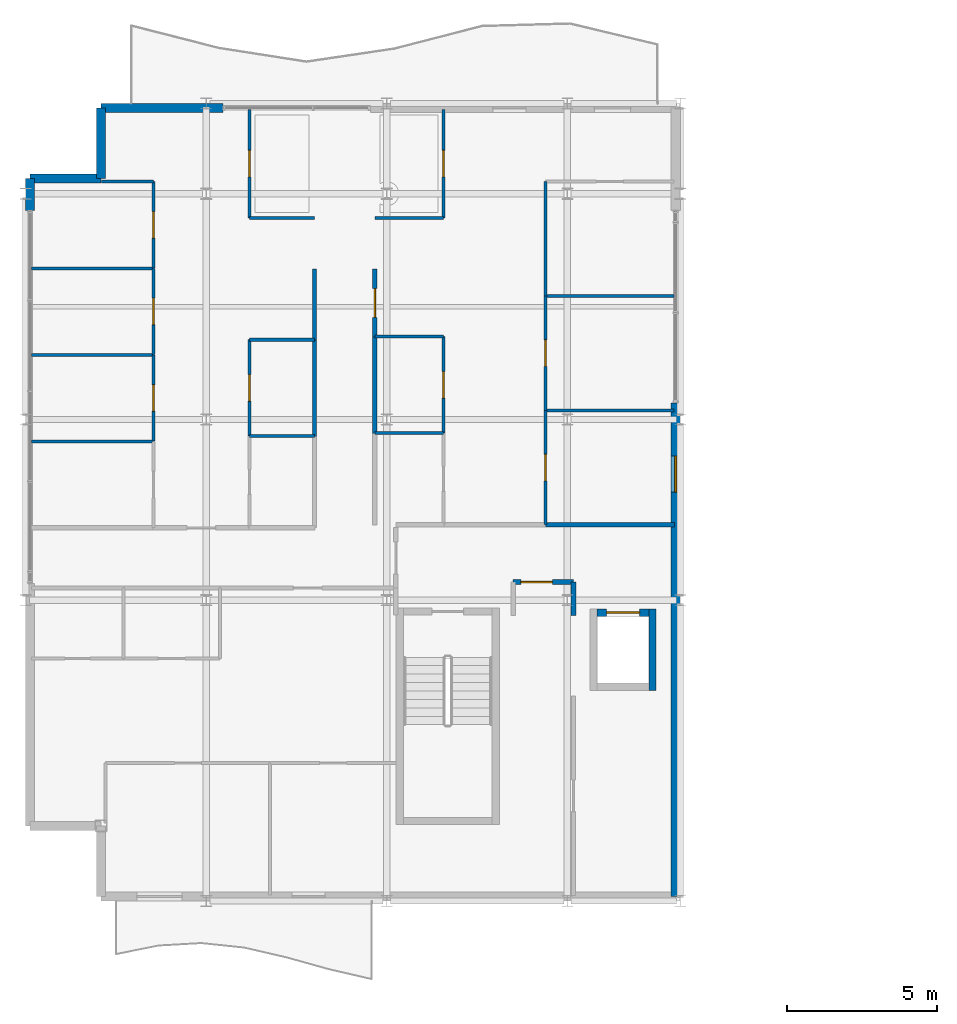
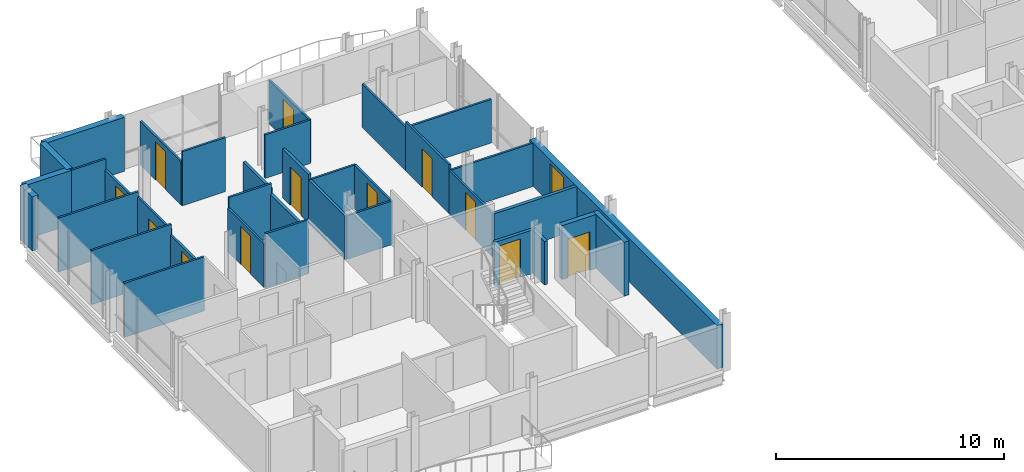
# One storey, part 24 of 29: 36 walls, 12 doors, 1 window, 13 openings.
"""IFC4 building model written with IfcOpenShell, lengths in metres."""

from ifc_helpers import new_model, si_unit, direction, frame, frame_2d, origin, place, context, subcontext, project, spatial, rectangle, extrude, material, layer, layer_set, type_object, element, fill, save


model = new_model("IFC4")

# Units and contexts
model_context = context("Model", 3, precision=1e-05, world=origin(), true_north=direction((0.0, 1.0)))
body_context = subcontext(model_context, "Body", "Model", "MODEL_VIEW")
ifc_project = project(units=[si_unit("LENGTHUNIT", "METRE"), si_unit("AREAUNIT", "SQUARE_METRE"), si_unit("VOLUMEUNIT", "CUBIC_METRE"), si_unit("PLANEANGLEUNIT", "RADIAN"), si_unit("MASSUNIT", "GRAM", prefix="KILO")], contexts=[model_context])

# Site, building, storey
site_placement = place(None, origin())
site = spatial("IfcSite", under=ifc_project, at=site_placement, CompositionType="ELEMENT")
building_placement = place(site_placement, origin())
building = spatial("IfcBuilding", under=site, at=building_placement, Name="Brevholm Reach", CompositionType="ELEMENT")
storey_placement = place(building_placement, frame((0.0, 0.0, 208.0)))
storey = spatial("IfcBuildingStorey", under=building, at=storey_placement, Name="L63", CompositionType="ELEMENT", Elevation=208.0)

# Wall
ifc_material_1 = material(Name="Concrete C45/55", Category="concrete")
ifc_layer_1 = layer(ifc_material_1, 0.239990234375)
ifc_layer_set_1 = layer_set([ifc_layer_1], Name="Concrete C45/55")
wall_type_1 = type_object("IfcWallType", Name="WAL-COR-240", PredefinedType="SHEAR", material=ifc_layer_set_1)
wall_1_placement = place(storey_placement, frame((20.830078125, 7.0, 0.0), z_axis=(0.0, 0.0, 1.0), x_axis=(0.0, 1.0, 0.0)))
element("IfcWall", 1, at=wall_1_placement, inside=storey, type_object=wall_type_1, Name="L63 Lift FFL-1 Shaft Wall E", PredefinedType="SHEAR", context=body_context, shape_type="SweptSolid", body=[
    extrude(rectangle(XDim=2.699951171875, YDim=0.239990234375, at=frame_2d((1.35009765625, 0.0))), origin(), (0.0, 0.0, 1.0), 2.889892578125),
])

# Wall, opening, door
wall_2_placement = place(storey_placement, frame((18.989990234375, 9.580078125, 0.0), z_axis=(0.0, 0.0, 1.0), x_axis=(1.0, 0.0, 0.0)))
wall_2 = element("IfcWall", 2, at=wall_2_placement, inside=storey, type_object=wall_type_1, Name="L63 Lift FFL-1 Shaft Wall N", PredefinedType="SHEAR", context=body_context, shape_type="SweptSolid", body=[
    extrude(rectangle(XDim=1.719970703125, YDim=0.239990234375, at=frame_2d((0.85986328125, 0.0))), origin(), (0.0, 0.0, 1.0), 2.889892578125),
])
opening_1_placement = place(wall_2_placement, frame((0.31005859375, 0.0, 0.0)))
opening_1 = element("IfcOpeningElement", 3, at=opening_1_placement, cuts=wall_2, Name="Opening LD-FFL-1", PredefinedType="OPENING", context=body_context, shape_type="SweptSolid", body=[
    extrude(rectangle(XDim=1.10009765625, YDim=2.06005859375, at=frame_2d((0.550048828125, 1.030029296875))), frame((0.0, 0.1298828125, 0.0), z_axis=(0.0, -1.0, 0.0), x_axis=(1.0, 0.0, 0.0)), (0.0, 0.0, 1.0), 0.260009765625),
])
ifc_material_2 = material(Name="Brushed Stainless Steel Fire-Rated Sliding Lift Door", Category="steel")
door_type_1 = type_object("IfcDoorType", Name="DOR-LFT-1100", OperationType="NOTDEFINED", PredefinedType="DOOR", material=ifc_material_2)
door_1_placement = place(opening_1_placement, origin())
door_1 = element("IfcDoor", 4, at=door_1_placement, inside=storey, type_object=door_type_1, Name="L63 Lift FFL-1 Sliding Landing Door", OperationType="SLIDING_TO_LEFT", OverallHeight=2.06005859375, OverallWidth=1.10009765625, PredefinedType="DOOR", context=body_context, shape_type="SweptSolid", body=[
    extrude(rectangle(XDim=1.10009765625, YDim=2.06005859375, at=frame_2d((0.550048828125, 1.030029296875))), frame((0.0, 0.02490234375, 0.0), z_axis=(0.0, -1.0, 0.0), x_axis=(1.0, 0.0, 0.0)), (0.0, 0.0, 1.0), 0.050048828125),
])
fill(opening_1, door_1)

# Walls
ifc_material_3 = material(Name="Concrete C40/50", Category="concrete")
ifc_layer_2 = layer(ifc_material_3, 0.300048828125)
ifc_layer_set_2 = layer_set([ifc_layer_2], Name="Concrete C40/50")
wall_type_2 = type_object("IfcWallType", Name="WAL-EXT-300", PredefinedType="STANDARD", material=ifc_layer_set_2)
for number, where, z_axis, x_axis, name in (
    (5, (2.5, 26.35009765625, 0.0), (0.0, 0.0, 1.0), (0.0, -1.0, 0.0), "L63 Facade Wall WAL-L63-WW-CNW1"),
    (6, (2.5, 24.0, 0.0), (0.0, 0.0, 1.0), (-1.0, 0.0, 0.0), "L63 Facade Wall WAL-L63-WW-CNW2"),
):
    element("IfcWall", number, at=place(storey_placement, frame(where, z_axis=z_axis, x_axis=x_axis)), inside=storey, type_object=wall_type_2, Name=name, PredefinedType="STANDARD", context=body_context, shape_type="SweptSolid", body=[
        extrude(rectangle(XDim=2.35009765625, YDim=0.300048828125, at=frame_2d((1.175048828125, 0.0))), origin(), (0.0, 0.0, 1.0), 2.889892578125),
    ])
wall_3_placement = place(storey_placement, frame((0.14990234375, 24.0, 0.0), z_axis=(0.0, 0.0, 1.0), x_axis=(0.0, -1.0, 0.0)))
element("IfcWall", 7, at=wall_3_placement, inside=storey, type_object=wall_type_2, Name="L63 Facade Wall WAL-L63-WW-WN", PredefinedType="STANDARD", context=body_context, shape_type="SweptSolid", body=[
    extrude(rectangle(XDim=1.050048828125, YDim=0.300048828125, at=frame_2d((0.52490234375, 0.0))), origin(), (0.0, 0.0, 1.0), 2.889892578125),
])
wall_4_placement = place(storey_placement, frame((2.5, 26.35009765625, 0.0), z_axis=(0.0, 0.0, 1.0), x_axis=(1.0, 0.0, 0.0)))
element("IfcWall", 8, at=wall_4_placement, inside=storey, type_object=wall_type_2, Name="L63 Facade Wall WAL-L63-WW-NP1", PredefinedType="STANDARD", context=body_context, shape_type="SweptSolid", body=[
    extrude(rectangle(XDim=4.050048828125, YDim=0.300048828125, at=frame_2d((2.02490234375, 0.0))), origin(), (0.0, 0.0, 1.0), 2.889892578125),
])

# Wall, opening, window
wall_5_placement = place(storey_placement, frame((21.60009765625, 0.14990234375, 0.0), z_axis=(0.0, 0.0, 1.0), x_axis=(0.0, 1.0, 0.0)))
wall_5 = element("IfcWall", 9, at=wall_5_placement, inside=storey, type_object=wall_type_2, Name="L63 Facade Wall WAL-L63-VP-WS", PredefinedType="STANDARD", context=body_context, shape_type="SweptSolid", body=[
    extrude(rectangle(XDim=16.400146484375, YDim=0.300048828125, at=frame_2d((8.2001953125, 0.0))), origin(), (0.0, 0.0, 1.0), 2.331787109375),
])
opening_2_placement = place(wall_5_placement, frame((13.436279296875, 0.0, 0.511962890625)))
opening_2 = element("IfcOpeningElement", 10, at=opening_2_placement, cuts=wall_5, Name="Opening WN-08", PredefinedType="OPENING", context=body_context, shape_type="SweptSolid", body=[
    extrude(rectangle(XDim=1.199951171875, YDim=1.60009765625, at=frame_2d((0.60009765625, 0.800048828125))), frame((0.0, 0.159912109375, 0.0), z_axis=(0.0, -1.0, 0.0), x_axis=(1.0, 0.0, 0.0)), (0.0, 0.0, 1.0), 0.320068359375),
])
ifc_material_4 = material(Name="Dark Anodised Aluminium and Solar-Control IGU Glass", Category="aluminium")
window_type = type_object("IfcWindowType", Name="WIN-RES-1200", PartitioningType="SINGLE_PANEL", PredefinedType="WINDOW", material=ifc_material_4)
window_placement = place(opening_2_placement, origin())
window = element("IfcWindow", 11, at=window_placement, inside=storey, type_object=window_type, Name="L63 Bedroom Window 064", OverallHeight=1.60009765625, OverallWidth=1.199951171875, PartitioningType="SINGLE_PANEL", PredefinedType="WINDOW", context=body_context, shape_type="SweptSolid", body=[
    extrude(rectangle(XDim=1.199951171875, YDim=1.60009765625, at=frame_2d((0.60009765625, 0.800048828125))), frame((0.0, 0.030029296875, 0.0), z_axis=(0.0, -1.0, 0.0), x_axis=(1.0, 0.0, 0.0)), (0.0, 0.0, 1.0), 0.06005859375),
])
fill(opening_2, window)

# Walls
ifc_material_5 = material(Name="Moisture-Resistant Acoustic Gypsum Stud Partition 100 mm", Category="gypsum")
ifc_layer_3 = layer(ifc_material_5, 0.10009765625)
ifc_layer_set_3 = layer_set([ifc_layer_3], Name="Moisture-Resistant Acoustic Gypsum Stud Partition 100 mm")
wall_type_3 = type_object("IfcWallType", Name="WAL-PRT-100", PredefinedType="PARTITIONING", material=ifc_layer_set_3)
for number, where, z_axis, x_axis, name in (
    (12, (7.43798828125, 15.449951171875, 0.0), (0.0, 0.0, 1.0), (1.0, 0.0, 0.0), "L63 Internal Partition 047"),
    (13, (7.43798828125, 18.64990234375, 0.0), (0.0, 0.0, 1.0), (1.0, 0.0, 0.0), "L63 Internal Partition 049"),
):
    element("IfcWall", number, at=place(storey_placement, frame(where, z_axis=z_axis, x_axis=x_axis)), inside=storey, type_object=wall_type_3, Name=name, PredefinedType="PARTITIONING", context=body_context, shape_type="SweptSolid", body=[
        extrude(rectangle(XDim=2.157958984375, YDim=0.10009765625, at=frame_2d((1.0791015625, 0.0))), origin(), (0.0, 0.0, 1.0), 2.889892578125),
    ])

# Wall, opening, door
wall_6_placement = place(storey_placement, frame((7.43798828125, 15.4541015625, 0.0), z_axis=(0.0, 0.0, 1.0), x_axis=(0.0, 1.0, 0.0)))
wall_6 = element("IfcWall", 14, at=wall_6_placement, inside=storey, type_object=wall_type_3, Name="L63 Internal Partition 050", PredefinedType="PARTITIONING", context=body_context, shape_type="SweptSolid", body=[
    extrude(rectangle(XDim=3.19580078125, YDim=0.10009765625, at=frame_2d((1.597900390625, 0.0))), origin(), (0.0, 0.0, 1.0), 2.325439453125),
])
opening_3_placement = place(wall_6_placement, frame((1.157958984375, 0.0, 0.0)))
opening_3 = element("IfcOpeningElement", 15, at=opening_3_placement, cuts=wall_6, Name="Opening ID-01", PredefinedType="OPENING", context=body_context, shape_type="SweptSolid", body=[
    extrude(rectangle(XDim=0.8798828125, YDim=2.0400390625, at=frame_2d((0.43994140625, 1.02001953125))), frame((0.0, 0.06005859375, 0.0), z_axis=(0.0, -1.0, 0.0), x_axis=(1.0, 0.0, 0.0)), (0.0, 0.0, 1.0), 0.1201171875),
])
ifc_material_6 = material(Name="Lacquered Ash Solid-Core Acoustic Internal Door", Category="timber")
door_type_2 = type_object("IfcDoorType", Name="DOR-INT-880", OperationType="NOTDEFINED", PredefinedType="DOOR", material=ifc_material_6)
door_2_placement = place(opening_3_placement, origin())
door_2 = element("IfcDoor", 16, at=door_2_placement, inside=storey, type_object=door_type_2, Name="L63 Internal Door 021", OperationType="SINGLE_SWING_RIGHT", OverallHeight=2.0400390625, OverallWidth=0.8798828125, PredefinedType="DOOR", context=body_context, shape_type="SweptSolid", body=[
    extrude(rectangle(XDim=0.8798828125, YDim=2.0400390625, at=frame_2d((0.43994140625, 1.02001953125))), frame((0.0, 0.02490234375, 0.0), z_axis=(0.0, -1.0, 0.0), x_axis=(1.0, 0.0, 0.0)), (0.0, 0.0, 1.0), 0.050048828125),
])
fill(opening_3, door_2)

# Wall
wall_7_placement = place(storey_placement, frame((7.43798828125, 22.699951171875, 0.0), z_axis=(0.0, 0.0, 1.0), x_axis=(1.0, 0.0, 0.0)))
element("IfcWall", 17, at=wall_7_placement, inside=storey, type_object=wall_type_3, Name="L63 Internal Partition 051", PredefinedType="PARTITIONING", context=body_context, shape_type="SweptSolid", body=[
    extrude(rectangle(XDim=2.162109375, YDim=0.10009765625, at=frame_2d((1.0810546875, 0.0))), origin(), (0.0, 0.0, 1.0), 2.889892578125),
])

# Wall, opening, door
wall_8_placement = place(storey_placement, frame((7.43798828125, 22.699951171875, 0.0), z_axis=(0.0, 0.0, 1.0), x_axis=(0.0, 1.0, 0.0)))
wall_8 = element("IfcWall", 18, at=wall_8_placement, inside=storey, type_object=wall_type_3, Name="L63 Internal Partition 052", PredefinedType="PARTITIONING", context=body_context, shape_type="SweptSolid", body=[
    extrude(rectangle(XDim=3.60009765625, YDim=0.10009765625, at=frame_2d((1.800048828125, 0.0))), origin(), (0.0, 0.0, 1.0), 2.325439453125),
])
opening_4_placement = place(wall_8_placement, frame((1.360107421875, 0.0, 0.0)))
opening_4 = element("IfcOpeningElement", 19, at=opening_4_placement, cuts=wall_8, Name="Opening ID-01", PredefinedType="OPENING", context=body_context, shape_type="SweptSolid", body=[
    extrude(rectangle(XDim=0.8798828125, YDim=2.0400390625, at=frame_2d((0.43994140625, 1.02001953125))), frame((0.0, 0.06005859375, 0.0), z_axis=(0.0, -1.0, 0.0), x_axis=(1.0, 0.0, 0.0)), (0.0, 0.0, 1.0), 0.1201171875),
])
door_3_placement = place(opening_4_placement, origin())
door_3 = element("IfcDoor", 20, at=door_3_placement, inside=storey, type_object=door_type_2, Name="L63 Internal Door 022", OperationType="SINGLE_SWING_LEFT", OverallHeight=2.0400390625, OverallWidth=0.8798828125, PredefinedType="DOOR", context=body_context, shape_type="SweptSolid", body=[
    extrude(rectangle(XDim=0.8798828125, YDim=2.0400390625, at=frame_2d((0.43994140625, 1.02001953125))), frame((0.0, 0.02490234375, 0.0), z_axis=(0.0, -1.0, 0.0), x_axis=(1.0, 0.0, 0.0)), (0.0, 0.0, 1.0), 0.050048828125),
])
fill(opening_4, door_3)

# Walls
for number, where, z_axis, x_axis, name in (
    (21, (0.199951171875, 15.27490234375, 0.0), (0.0, 0.0, 1.0), (1.0, 0.0, 0.0), "L63 Internal Partition 053"),
    (22, (0.199951171875, 18.14990234375, 0.0), (0.0, 0.0, 1.0), (1.0, 0.0, 0.0), "L63 Internal Partition 055"),
):
    element("IfcWall", number, at=place(storey_placement, frame(where, z_axis=z_axis, x_axis=x_axis)), inside=storey, type_object=wall_type_3, Name=name, PredefinedType="PARTITIONING", context=body_context, shape_type="SweptSolid", body=[
        extrude(rectangle(XDim=4.0419921875, YDim=0.10009765625, at=frame_2d((2.02099609375, 0.0))), origin(), (0.0, 0.0, 1.0), 2.889892578125),
    ])

# Wall, opening, door
wall_9_placement = place(storey_placement, frame((4.241943359375, 15.279052734375, 0.0), z_axis=(0.0, 0.0, 1.0), x_axis=(0.0, 1.0, 0.0)))
wall_9 = element("IfcWall", 23, at=wall_9_placement, inside=storey, type_object=wall_type_3, Name="L63 Internal Partition 056", PredefinedType="PARTITIONING", context=body_context, shape_type="SweptSolid", body=[
    extrude(rectangle(XDim=2.870849609375, YDim=0.10009765625, at=frame_2d((1.435546875, 0.0))), origin(), (0.0, 0.0, 1.0), 2.325439453125),
])
opening_5_placement = place(wall_9_placement, frame((0.99560546875, 0.0, 0.0)))
opening_5 = element("IfcOpeningElement", 24, at=opening_5_placement, cuts=wall_9, Name="Opening ID-01", PredefinedType="OPENING", context=body_context, shape_type="SweptSolid", body=[
    extrude(rectangle(XDim=0.8798828125, YDim=2.0400390625, at=frame_2d((0.43994140625, 1.02001953125))), frame((0.0, 0.06005859375, 0.0), z_axis=(0.0, -1.0, 0.0), x_axis=(1.0, 0.0, 0.0)), (0.0, 0.0, 1.0), 0.1201171875),
])
door_4_placement = place(opening_5_placement, origin())
door_4 = element("IfcDoor", 25, at=door_4_placement, inside=storey, type_object=door_type_2, Name="L63 Internal Door 024", OperationType="SINGLE_SWING_LEFT", OverallHeight=2.0400390625, OverallWidth=0.8798828125, PredefinedType="DOOR", context=body_context, shape_type="SweptSolid", body=[
    extrude(rectangle(XDim=0.8798828125, YDim=2.0400390625, at=frame_2d((0.43994140625, 1.02001953125))), frame((0.0, 0.02490234375, 0.0), z_axis=(0.0, -1.0, 0.0), x_axis=(1.0, 0.0, 0.0)), (0.0, 0.0, 1.0), 0.050048828125),
])
fill(opening_5, door_4)

# Wall
wall_10_placement = place(storey_placement, frame((0.199951171875, 21.02490234375, 0.0), z_axis=(0.0, 0.0, 1.0), x_axis=(1.0, 0.0, 0.0)))
element("IfcWall", 26, at=wall_10_placement, inside=storey, type_object=wall_type_3, Name="L63 Internal Partition 057", PredefinedType="PARTITIONING", context=body_context, shape_type="SweptSolid", body=[
    extrude(rectangle(XDim=4.0419921875, YDim=0.10009765625, at=frame_2d((2.02099609375, 0.0))), origin(), (0.0, 0.0, 1.0), 2.889892578125),
])

# Wall, opening, door
wall_11_placement = place(storey_placement, frame((4.241943359375, 18.154052734375, 0.0), z_axis=(0.0, 0.0, 1.0), x_axis=(0.0, 1.0, 0.0)))
wall_11 = element("IfcWall", 27, at=wall_11_placement, inside=storey, type_object=wall_type_3, Name="L63 Internal Partition 058", PredefinedType="PARTITIONING", context=body_context, shape_type="SweptSolid", body=[
    extrude(rectangle(XDim=2.870849609375, YDim=0.10009765625, at=frame_2d((1.435546875, 0.0))), origin(), (0.0, 0.0, 1.0), 2.613525390625),
])
opening_6_placement = place(wall_11_placement, frame((0.99560546875, 0.0, 0.0)))
opening_6 = element("IfcOpeningElement", 28, at=opening_6_placement, cuts=wall_11, Name="Opening ID-01", PredefinedType="OPENING", context=body_context, shape_type="SweptSolid", body=[
    extrude(rectangle(XDim=0.8798828125, YDim=2.0400390625, at=frame_2d((0.43994140625, 1.02001953125))), frame((0.0, 0.06005859375, 0.0), z_axis=(0.0, -1.0, 0.0), x_axis=(1.0, 0.0, 0.0)), (0.0, 0.0, 1.0), 0.1201171875),
])
door_5_placement = place(opening_6_placement, origin())
door_5 = element("IfcDoor", 29, at=door_5_placement, inside=storey, type_object=door_type_2, Name="L63 Internal Door 025", OperationType="SINGLE_SWING_RIGHT", OverallHeight=2.0400390625, OverallWidth=0.8798828125, PredefinedType="DOOR", context=body_context, shape_type="SweptSolid", body=[
    extrude(rectangle(XDim=0.8798828125, YDim=2.0400390625, at=frame_2d((0.43994140625, 1.02001953125))), frame((0.0, 0.02490234375, 0.0), z_axis=(0.0, -1.0, 0.0), x_axis=(1.0, 0.0, 0.0)), (0.0, 0.0, 1.0), 0.050048828125),
])
fill(opening_6, door_5)

# Wall
wall_12_placement = place(storey_placement, frame((2.52001953125, 23.89990234375, 0.0), z_axis=(0.0, 0.0, 1.0), x_axis=(1.0, 0.0, 0.0)))
element("IfcWall", 30, at=wall_12_placement, inside=storey, type_object=wall_type_3, Name="L63 Internal Partition 059", PredefinedType="PARTITIONING", context=body_context, shape_type="SweptSolid", body=[
    extrude(rectangle(XDim=1.721923828125, YDim=0.10009765625, at=frame_2d((0.86083984375, 0.0))), origin(), (0.0, 0.0, 1.0), 2.889892578125),
])

# Wall, opening, door
wall_13_placement = place(storey_placement, frame((4.241943359375, 21.029052734375, 0.0), z_axis=(0.0, 0.0, 1.0), x_axis=(0.0, 1.0, 0.0)))
wall_13 = element("IfcWall", 31, at=wall_13_placement, inside=storey, type_object=wall_type_3, Name="L63 Internal Partition 060", PredefinedType="PARTITIONING", context=body_context, shape_type="SweptSolid", body=[
    extrude(rectangle(XDim=2.870849609375, YDim=0.10009765625, at=frame_2d((1.435546875, 0.0))), origin(), (0.0, 0.0, 1.0), 2.325439453125),
])
opening_7_placement = place(wall_13_placement, frame((0.99560546875, 0.0, 0.0)))
opening_7 = element("IfcOpeningElement", 32, at=opening_7_placement, cuts=wall_13, Name="Opening ID-01", PredefinedType="OPENING", context=body_context, shape_type="SweptSolid", body=[
    extrude(rectangle(XDim=0.8798828125, YDim=2.0400390625, at=frame_2d((0.43994140625, 1.02001953125))), frame((0.0, 0.06005859375, 0.0), z_axis=(0.0, -1.0, 0.0), x_axis=(1.0, 0.0, 0.0)), (0.0, 0.0, 1.0), 0.1201171875),
])
door_6_placement = place(opening_7_placement, origin())
door_6 = element("IfcDoor", 33, at=door_6_placement, inside=storey, type_object=door_type_2, Name="L63 Internal Door 026", OperationType="SINGLE_SWING_LEFT", OverallHeight=2.0400390625, OverallWidth=0.8798828125, PredefinedType="DOOR", context=body_context, shape_type="SweptSolid", body=[
    extrude(rectangle(XDim=0.8798828125, YDim=2.0400390625, at=frame_2d((0.43994140625, 1.02001953125))), frame((0.0, 0.02490234375, 0.0), z_axis=(0.0, -1.0, 0.0), x_axis=(1.0, 0.0, 0.0)), (0.0, 0.0, 1.0), 0.050048828125),
])
fill(opening_7, door_6)

# Wall
wall_14_placement = place(storey_placement, frame((11.60400390625, 15.550048828125, 0.0), z_axis=(0.0, 0.0, 1.0), x_axis=(1.0, 0.0, 0.0)))
element("IfcWall", 34, at=wall_14_placement, inside=storey, type_object=wall_type_3, Name="L63 Internal Partition 061", PredefinedType="PARTITIONING", context=body_context, shape_type="SweptSolid", body=[
    extrude(rectangle(XDim=2.284912109375, YDim=0.10009765625, at=frame_2d((1.142578125, 0.0))), origin(), (0.0, 0.0, 1.0), 2.325439453125),
])

# Wall, opening, door
wall_15_placement = place(storey_placement, frame((13.888916015625, 15.553955078125, 0.0), z_axis=(0.0, 0.0, 1.0), x_axis=(0.0, 1.0, 0.0)))
wall_15 = element("IfcWall", 35, at=wall_15_placement, inside=storey, type_object=wall_type_3, Name="L63 Internal Partition 063", PredefinedType="PARTITIONING", context=body_context, shape_type="SweptSolid", body=[
    extrude(rectangle(XDim=3.196044921875, YDim=0.10009765625, at=frame_2d((1.59814453125, 0.0))), origin(), (0.0, 0.0, 1.0), 2.325439453125),
])
opening_8_placement = place(wall_15_placement, frame((1.157958984375, 0.0, 0.0)))
opening_8 = element("IfcOpeningElement", 36, at=opening_8_placement, cuts=wall_15, Name="Opening ID-01", PredefinedType="OPENING", context=body_context, shape_type="SweptSolid", body=[
    extrude(rectangle(XDim=0.8798828125, YDim=2.0400390625, at=frame_2d((0.43994140625, 1.02001953125))), frame((0.0, 0.06005859375, 0.0), z_axis=(0.0, -1.0, 0.0), x_axis=(1.0, 0.0, 0.0)), (0.0, 0.0, 1.0), 0.1201171875),
])
door_7_placement = place(opening_8_placement, origin())
door_7 = element("IfcDoor", 37, at=door_7_placement, inside=storey, type_object=door_type_2, Name="L63 Internal Door 028", OperationType="SINGLE_SWING_LEFT", OverallHeight=2.0400390625, OverallWidth=0.8798828125, PredefinedType="DOOR", context=body_context, shape_type="SweptSolid", body=[
    extrude(rectangle(XDim=0.8798828125, YDim=2.0400390625, at=frame_2d((0.43994140625, 1.02001953125))), frame((0.0, 0.02490234375, 0.0), z_axis=(0.0, -1.0, 0.0), x_axis=(1.0, 0.0, 0.0)), (0.0, 0.0, 1.0), 0.050048828125),
])
fill(opening_8, door_7)

# Walls
wall_16_placement = place(storey_placement, frame((11.60400390625, 18.75, 0.0), z_axis=(0.0, 0.0, 1.0), x_axis=(1.0, 0.0, 0.0)))
element("IfcWall", 38, at=wall_16_placement, inside=storey, type_object=wall_type_3, Name="L63 Internal Partition 064", PredefinedType="PARTITIONING", context=body_context, shape_type="SweptSolid", body=[
    extrude(rectangle(XDim=2.284912109375, YDim=0.10009765625, at=frame_2d((1.142578125, 0.0))), origin(), (0.0, 0.0, 1.0), 2.325439453125),
])
wall_17_placement = place(storey_placement, frame((11.60009765625, 22.699951171875, 0.0), z_axis=(0.0, 0.0, 1.0), x_axis=(1.0, 0.0, 0.0)))
element("IfcWall", 39, at=wall_17_placement, inside=storey, type_object=wall_type_3, Name="L63 Internal Partition 065", PredefinedType="PARTITIONING", context=body_context, shape_type="SweptSolid", body=[
    extrude(rectangle(XDim=2.288818359375, YDim=0.10009765625, at=frame_2d((1.14453125, 0.0))), origin(), (0.0, 0.0, 1.0), 2.325439453125),
])

# Wall, opening, door
wall_18_placement = place(storey_placement, frame((13.888916015625, 22.699951171875, 0.0), z_axis=(0.0, 0.0, 1.0), x_axis=(0.0, 1.0, 0.0)))
wall_18 = element("IfcWall", 40, at=wall_18_placement, inside=storey, type_object=wall_type_3, Name="L63 Internal Partition 066", PredefinedType="PARTITIONING", context=body_context, shape_type="SweptSolid", body=[
    extrude(rectangle(XDim=3.60009765625, YDim=0.10009765625, at=frame_2d((1.800048828125, 0.0))), origin(), (0.0, 0.0, 1.0), 2.325439453125),
])
opening_9_placement = place(wall_18_placement, frame((1.360107421875, 0.0, 0.0)))
opening_9 = element("IfcOpeningElement", 41, at=opening_9_placement, cuts=wall_18, Name="Opening ID-01", PredefinedType="OPENING", context=body_context, shape_type="SweptSolid", body=[
    extrude(rectangle(XDim=0.8798828125, YDim=2.0400390625, at=frame_2d((0.43994140625, 1.02001953125))), frame((0.0, 0.06005859375, 0.0), z_axis=(0.0, -1.0, 0.0), x_axis=(1.0, 0.0, 0.0)), (0.0, 0.0, 1.0), 0.1201171875),
])
door_8_placement = place(opening_9_placement, origin())
door_8 = element("IfcDoor", 42, at=door_8_placement, inside=storey, type_object=door_type_2, Name="L63 Internal Door 029", OperationType="SINGLE_SWING_RIGHT", OverallHeight=2.0400390625, OverallWidth=0.8798828125, PredefinedType="DOOR", context=body_context, shape_type="SweptSolid", body=[
    extrude(rectangle(XDim=0.8798828125, YDim=2.0400390625, at=frame_2d((0.43994140625, 1.02001953125))), frame((0.0, 0.02490234375, 0.0), z_axis=(0.0, -1.0, 0.0), x_axis=(1.0, 0.0, 0.0)), (0.0, 0.0, 1.0), 0.050048828125),
])
fill(opening_9, door_8)

# Wall
wall_19_placement = place(storey_placement, frame((17.27099609375, 16.300048828125, 0.0), z_axis=(0.0, 0.0, 1.0), x_axis=(1.0, 0.0, 0.0)))
element("IfcWall", 43, at=wall_19_placement, inside=storey, type_object=wall_type_3, Name="L63 Internal Partition 067", PredefinedType="PARTITIONING", context=body_context, shape_type="SweptSolid", body=[
    extrude(rectangle(XDim=4.279052734375, YDim=0.10009765625, at=frame_2d((2.1396484375, 0.0))), origin(), (0.0, 0.0, 1.0), 2.325439453125),
])

# Wall, opening, door
wall_20_placement = place(storey_placement, frame((17.27099609375, 12.50390625, 0.0), z_axis=(0.0, 0.0, 1.0), x_axis=(0.0, 1.0, 0.0)))
wall_20 = element("IfcWall", 44, at=wall_20_placement, inside=storey, type_object=wall_type_3, Name="L63 Internal Partition 068", PredefinedType="PARTITIONING", context=body_context, shape_type="SweptSolid", body=[
    extrude(rectangle(XDim=3.796142578125, YDim=0.10009765625, at=frame_2d((1.89794921875, 0.0))), origin(), (0.0, 0.0, 1.0), 2.325439453125),
])
opening_10_placement = place(wall_20_placement, frame((1.4580078125, 0.0, 0.0)))
opening_10 = element("IfcOpeningElement", 45, at=opening_10_placement, cuts=wall_20, Name="Opening ID-01", PredefinedType="OPENING", context=body_context, shape_type="SweptSolid", body=[
    extrude(rectangle(XDim=0.8798828125, YDim=2.0400390625, at=frame_2d((0.43994140625, 1.02001953125))), frame((0.0, 0.06005859375, 0.0), z_axis=(0.0, -1.0, 0.0), x_axis=(1.0, 0.0, 0.0)), (0.0, 0.0, 1.0), 0.1201171875),
])
door_9_placement = place(opening_10_placement, origin())
door_9 = element("IfcDoor", 46, at=door_9_placement, inside=storey, type_object=door_type_2, Name="L63 Internal Door 030", OperationType="SINGLE_SWING_LEFT", OverallHeight=2.0400390625, OverallWidth=0.8798828125, PredefinedType="DOOR", context=body_context, shape_type="SweptSolid", body=[
    extrude(rectangle(XDim=0.8798828125, YDim=2.0400390625, at=frame_2d((0.43994140625, 1.02001953125))), frame((0.0, 0.02490234375, 0.0), z_axis=(0.0, -1.0, 0.0), x_axis=(1.0, 0.0, 0.0)), (0.0, 0.0, 1.0), 0.050048828125),
])
fill(opening_10, door_9)

# Wall
wall_21_placement = place(storey_placement, frame((17.27099609375, 20.10009765625, 0.0), z_axis=(0.0, 0.0, 1.0), x_axis=(1.0, 0.0, 0.0)))
element("IfcWall", 47, at=wall_21_placement, inside=storey, type_object=wall_type_3, Name="L63 Internal Partition 069", PredefinedType="PARTITIONING", context=body_context, shape_type="SweptSolid", body=[
    extrude(rectangle(XDim=4.279052734375, YDim=0.10009765625, at=frame_2d((2.1396484375, 0.0))), origin(), (0.0, 0.0, 1.0), 2.325439453125),
])

# Wall, opening, door
wall_22_placement = place(storey_placement, frame((17.27099609375, 16.303955078125, 0.0), z_axis=(0.0, 0.0, 1.0), x_axis=(0.0, 1.0, 0.0)))
wall_22 = element("IfcWall", 48, at=wall_22_placement, inside=storey, type_object=wall_type_3, Name="L63 Internal Partition 070", PredefinedType="PARTITIONING", context=body_context, shape_type="SweptSolid", body=[
    extrude(rectangle(XDim=3.796142578125, YDim=0.10009765625, at=frame_2d((1.89794921875, 0.0))), origin(), (0.0, 0.0, 1.0), 2.613525390625),
])
opening_11_placement = place(wall_22_placement, frame((1.4580078125, 0.0, 0.0)))
opening_11 = element("IfcOpeningElement", 49, at=opening_11_placement, cuts=wall_22, Name="Opening ID-01", PredefinedType="OPENING", context=body_context, shape_type="SweptSolid", body=[
    extrude(rectangle(XDim=0.8798828125, YDim=2.0400390625, at=frame_2d((0.43994140625, 1.02001953125))), frame((0.0, 0.06005859375, 0.0), z_axis=(0.0, -1.0, 0.0), x_axis=(1.0, 0.0, 0.0)), (0.0, 0.0, 1.0), 0.1201171875),
])
door_10_placement = place(opening_11_placement, origin())
door_10 = element("IfcDoor", 50, at=door_10_placement, inside=storey, type_object=door_type_2, Name="L63 Internal Door 031", OperationType="SINGLE_SWING_RIGHT", OverallHeight=2.0400390625, OverallWidth=0.8798828125, PredefinedType="DOOR", context=body_context, shape_type="SweptSolid", body=[
    extrude(rectangle(XDim=0.8798828125, YDim=2.0400390625, at=frame_2d((0.43994140625, 1.02001953125))), frame((0.0, 0.02490234375, 0.0), z_axis=(0.0, -1.0, 0.0), x_axis=(1.0, 0.0, 0.0)), (0.0, 0.0, 1.0), 0.050048828125),
])
fill(opening_11, door_10)

# Walls
wall_23_placement = place(storey_placement, frame((17.27099609375, 20.10400390625, 0.0), z_axis=(0.0, 0.0, 1.0), x_axis=(0.0, 1.0, 0.0)))
element("IfcWall", 51, at=wall_23_placement, inside=storey, type_object=wall_type_3, Name="L63 Internal Partition 072", PredefinedType="PARTITIONING", context=body_context, shape_type="SweptSolid", body=[
    extrude(rectangle(XDim=3.7958984375, YDim=0.10009765625, at=frame_2d((1.89794921875, 0.0))), origin(), (0.0, 0.0, 1.0), 2.325439453125),
])
ifc_material_7 = material(Name="Twin-Stud Acoustic Fire-Rated Gypsum Partition 140 mm", Category="gypsum")
ifc_layer_4 = layer(ifc_material_7, 0.139892578125)
ifc_layer_set_4 = layer_set([ifc_layer_4], Name="Twin-Stud Acoustic Fire-Rated Gypsum Partition 140 mm")
wall_type_4 = type_object("IfcWallType", Name="WAL-PRT-140", PredefinedType="PARTITIONING", material=ifc_layer_set_4)
wall_24_placement = place(storey_placement, frame((9.60009765625, 15.442626953125, 0.0), z_axis=(0.0, 0.0, 1.0), x_axis=(0.0, 1.0, 0.0)))
element("IfcWall", 52, at=wall_24_placement, inside=storey, type_object=wall_type_4, Name="L63 Internal Partition 025", PredefinedType="PARTITIONING", context=body_context, shape_type="SweptSolid", body=[
    extrude(rectangle(XDim=3.21875, YDim=0.139892578125, at=frame_2d((1.609375, 0.0))), origin(), (0.0, 0.0, 1.0), 2.325439453125),
])
wall_25_placement = place(storey_placement, frame((9.60009765625, 18.642578125, 0.0), z_axis=(0.0, 0.0, 1.0), x_axis=(0.0, 1.0, 0.0)))
element("IfcWall", 53, at=wall_25_placement, inside=storey, type_object=wall_type_4, Name="L63 Internal Partition 026", PredefinedType="PARTITIONING", context=body_context, shape_type="SweptSolid", body=[
    extrude(rectangle(XDim=2.357421875, YDim=0.139892578125, at=frame_2d((1.1787109375, 0.0))), origin(), (0.0, 0.0, 1.0), 2.613525390625),
])
wall_26_placement = place(storey_placement, frame((11.60009765625, 15.542724609375, 0.0), z_axis=(0.0, 0.0, 1.0), x_axis=(0.0, 1.0, 0.0)))
element("IfcWall", 54, at=wall_26_placement, inside=storey, type_object=wall_type_4, Name="L63 Internal Partition 028", PredefinedType="PARTITIONING", context=body_context, shape_type="SweptSolid", body=[
    extrude(rectangle(XDim=3.218505859375, YDim=0.139892578125, at=frame_2d((1.609375, 0.0))), origin(), (0.0, 0.0, 1.0), 2.325439453125),
])

# Wall, opening, door
wall_27_placement = place(storey_placement, frame((11.60009765625, 18.74267578125, 0.0), z_axis=(0.0, 0.0, 1.0), x_axis=(0.0, 1.0, 0.0)))
wall_27 = element("IfcWall", 55, at=wall_27_placement, inside=storey, type_object=wall_type_4, Name="L63 Internal Partition 029", PredefinedType="PARTITIONING", context=body_context, shape_type="SweptSolid", body=[
    extrude(rectangle(XDim=2.25732421875, YDim=0.139892578125, at=frame_2d((1.128662109375, 0.0))), origin(), (0.0, 0.0, 1.0), 2.613525390625),
])
opening_12_placement = place(wall_27_placement, frame((0.65380859375, 0.0, 0.0)))
opening_12 = element("IfcOpeningElement", 56, at=opening_12_placement, cuts=wall_27, Name="Opening ID-30", PredefinedType="OPENING", context=body_context, shape_type="SweptSolid", body=[
    extrude(rectangle(XDim=0.949951171875, YDim=2.050048828125, at=frame_2d((0.47509765625, 1.02490234375))), frame((0.0, 0.079833984375, 0.0), z_axis=(0.0, -1.0, 0.0), x_axis=(1.0, 0.0, 0.0)), (0.0, 0.0, 1.0), 0.159912109375),
])
ifc_material_8 = material(Name="European Oak Veneered Solid-Core Fire Entrance Door", Category="timber")
door_type_3 = type_object("IfcDoorType", Name="DOR-FLT-FD30S", OperationType="NOTDEFINED", PredefinedType="DOOR", material=ifc_material_8)
door_11_placement = place(opening_12_placement, origin())
door_11 = element("IfcDoor", 57, at=door_11_placement, inside=storey, type_object=door_type_3, Name="L63 Internal Door 011", OperationType="SINGLE_SWING_RIGHT", OverallHeight=2.050048828125, OverallWidth=0.949951171875, PredefinedType="DOOR", context=body_context, shape_type="SweptSolid", body=[
    extrude(rectangle(XDim=0.949951171875, YDim=2.050048828125, at=frame_2d((0.47509765625, 1.02490234375))), frame((0.0, 0.02490234375, 0.0), z_axis=(0.0, -1.0, 0.0), x_axis=(1.0, 0.0, 0.0)), (0.0, 0.0, 1.0), 0.050048828125),
])
fill(opening_12, door_11)

# Wall
ifc_material_9 = material(Name="Twin-Frame Fire-Rated Gypsum Board and Mineral Wool 160 mm", Category="gypsum")
ifc_layer_5 = layer(ifc_material_9, 0.159912109375)
ifc_layer_set_5 = layer_set([ifc_layer_5], Name="Twin-Frame Fire-Rated Gypsum Board and Mineral Wool 160 mm")
wall_type_5 = type_object("IfcWallType", Name="WAL-PRT-160", PredefinedType="PARTITIONING", material=ifc_layer_set_5)
wall_28_placement = place(storey_placement, frame((18.199951171875, 9.48876953125, 0.0), z_axis=(0.0, 0.0, 1.0), x_axis=(0.0, 1.0, 0.0)))
element("IfcWall", 58, at=wall_28_placement, inside=storey, type_object=wall_type_5, Name="L63 Internal Partition 003", PredefinedType="PARTITIONING", context=body_context, shape_type="SweptSolid", body=[
    extrude(rectangle(XDim=1.111328125, YDim=0.159912109375, at=frame_2d((0.5556640625, 0.0))), origin(), (0.0, 0.0, 1.0), 2.325439453125),
])

# Wall, opening, door
wall_29_placement = place(storey_placement, frame((16.199951171875, 10.60009765625, 0.0), z_axis=(0.0, 0.0, 1.0), x_axis=(1.0, 0.0, 0.0)))
wall_29 = element("IfcWall", 59, at=wall_29_placement, inside=storey, type_object=wall_type_5, Name="L63 Internal Partition 004", PredefinedType="PARTITIONING", context=body_context, shape_type="SweptSolid", body=[
    extrude(rectangle(XDim=2.0, YDim=0.159912109375, at=frame_2d((1.0, 0.0))), origin(), (0.0, 0.0, 1.0), 2.325439453125),
])
opening_13_placement = place(wall_29_placement, frame((0.2548828125, 0.0, 0.0)))
opening_13 = element("IfcOpeningElement", 60, at=opening_13_placement, cuts=wall_29, Name="Opening FD-01", PredefinedType="OPENING", context=body_context, shape_type="SweptSolid", body=[
    extrude(rectangle(XDim=1.050048828125, YDim=2.06005859375, at=frame_2d((0.52490234375, 1.030029296875))), frame((0.0, 0.08984375, 0.0), z_axis=(0.0, -1.0, 0.0), x_axis=(1.0, 0.0, 0.0)), (0.0, 0.0, 1.0), 0.179931640625),
])
ifc_material_10 = material(Name="Hardwood-Lipped Steel-Core Fire and Smoke Door", Category="steel")
door_type_4 = type_object("IfcDoorType", Name="DOR-INT-FD60S", OperationType="NOTDEFINED", PredefinedType="DOOR", material=ifc_material_10)
door_12_placement = place(opening_13_placement, origin())
door_12 = element("IfcDoor", 61, at=door_12_placement, inside=storey, type_object=door_type_4, Name="L63 Internal Door 002", OperationType="SINGLE_SWING_LEFT", OverallHeight=2.06005859375, OverallWidth=1.050048828125, PredefinedType="DOOR", context=body_context, shape_type="SweptSolid", body=[
    extrude(rectangle(XDim=1.050048828125, YDim=2.06005859375, at=frame_2d((0.52490234375, 1.030029296875))), frame((0.0, 0.02490234375, 0.0), z_axis=(0.0, -1.0, 0.0), x_axis=(1.0, 0.0, 0.0)), (0.0, 0.0, 1.0), 0.050048828125),
])
fill(opening_13, door_12)

# Wall
wall_30_placement = place(storey_placement, frame((17.259765625, 12.5, 0.0), z_axis=(0.0, 0.0, 1.0), x_axis=(1.0, 0.0, 0.0)))
element("IfcWall", 62, at=wall_30_placement, inside=storey, type_object=wall_type_5, Name="L63 Internal Partition 016", PredefinedType="PARTITIONING", context=body_context, shape_type="SweptSolid", body=[
    extrude(rectangle(XDim=4.301513671875, YDim=0.159912109375, at=frame_2d((2.15087890625, 0.0))), origin(), (0.0, 0.0, 1.0), 2.325439453125),
])

save(model, "model.ifc")
